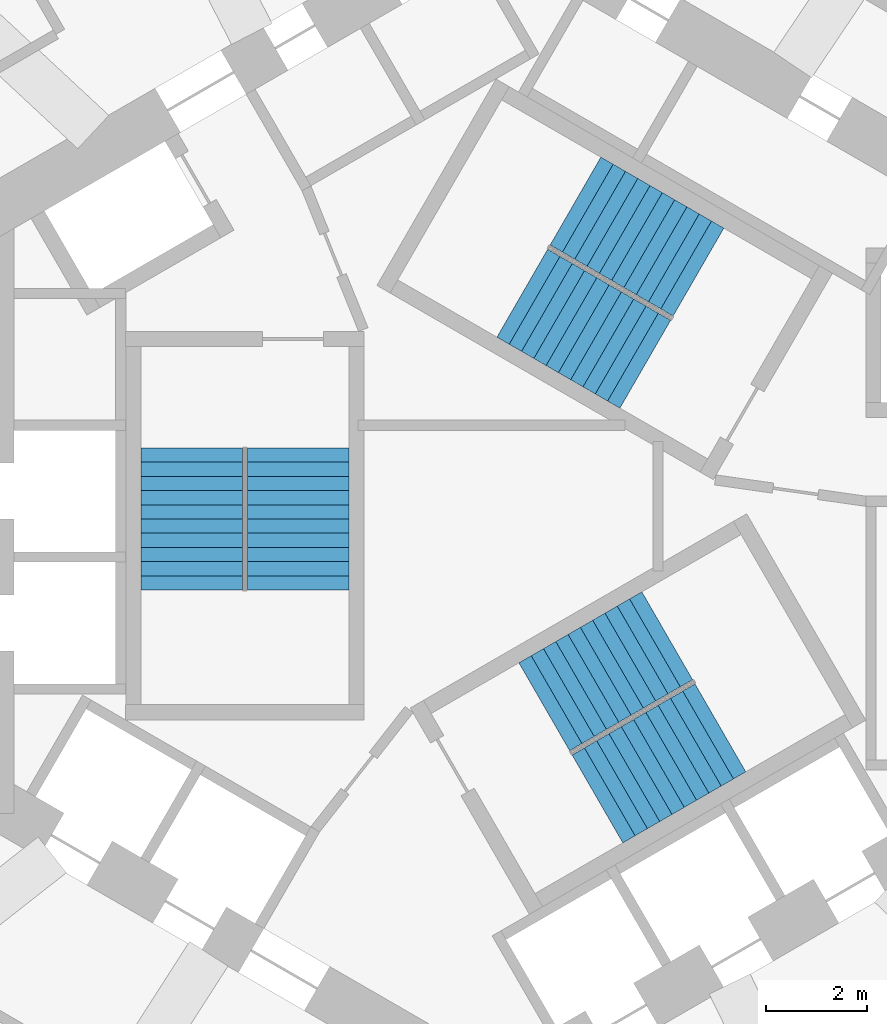
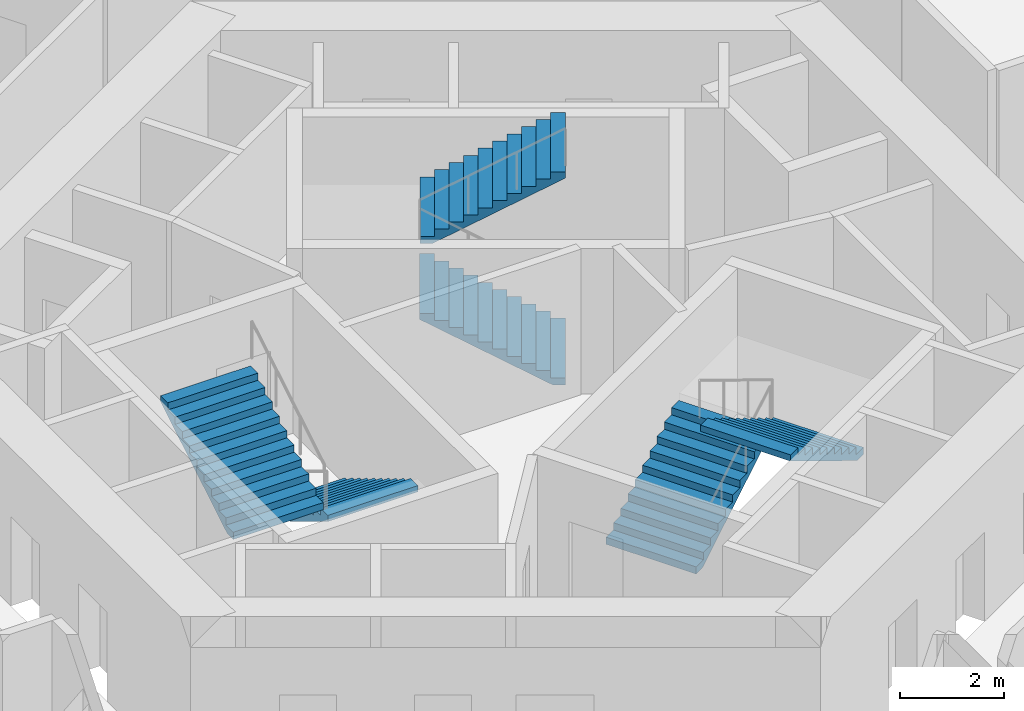
# One storey, part 9 of 11: 6 stair flights, 3 elements without a shape of their own.
"""IFC4 building model written with IfcOpenShell, lengths in metres."""

from ifc_helpers import new_model, si_unit, direction, frame, origin, place, context, subcontext, project, spatial, triangles, source, transform, mapped, material, type_object, element, aggregate, save


model = new_model("IFC4")

# Units and contexts
model_context = context("Model", 3, precision=1e-05, world=origin(), true_north=direction((0.0, 1.0)))
body_context = subcontext(model_context, "Body", "Model", "MODEL_VIEW")
ifc_project = project(units=[si_unit("LENGTHUNIT", "METRE"), si_unit("AREAUNIT", "SQUARE_METRE"), si_unit("VOLUMEUNIT", "CUBIC_METRE"), si_unit("PLANEANGLEUNIT", "RADIAN"), si_unit("MASSUNIT", "GRAM", prefix="KILO")], contexts=[model_context])

# Site, building, storey
site_placement = place(None, origin())
site = spatial("IfcSite", under=ifc_project, at=site_placement, CompositionType="ELEMENT")
building_placement = place(site_placement, origin())
building = spatial("IfcBuilding", under=site, at=building_placement, Name="Vanh Sen Convention Tower", CompositionType="ELEMENT")
storey_placement = place(building_placement, frame((0.0, 0.0, 154.0)))
storey = spatial("IfcBuildingStorey", under=building, at=storey_placement, Name="L37", CompositionType="ELEMENT", Elevation=154.0)

# Stair, stair flights
ifc_material_1 = material(Name="Concrete C50/60", Category="concrete")
stair_type_1 = type_object("IfcStairType", Name="Exit stair ST1 22 risers at 168.2", PredefinedType="HALF_TURN_STAIR", material=ifc_material_1)
stair_1_placement = place(storey_placement, origin())
stair_1 = element("IfcStair", 1, at=stair_1_placement, inside=storey, type_object=stair_type_1, Name="Exit stair ST1 L37", PredefinedType="HALF_TURN_STAIR")
ifc_material_2 = material(Name="Concrete C40/50", Category="concrete")
stair_flight_type = type_object("IfcStairFlightType", Name="Stair flight 2000", PredefinedType="STRAIGHT", material=ifc_material_2)
shared_shape = source(origin(), body_context, "Body", "Tessellation", [
    triangles([(0.24267578125, 1.0, 0.0), (0.0, 1.0, 0.0), (0.0, 1.0, 0.168212890625), (0.280029296875, 1.0, 0.168212890625), (0.280029296875, 1.0, 0.33642578125), (0.56005859375, 1.0, 0.33642578125), (0.56005859375, 1.0, 0.504638671875), (0.840087890625, 1.0, 0.504638671875), (0.840087890625, 1.0, 0.672607421875), (1.1201171875, 1.0, 0.672607421875), (1.1201171875, 1.0, 0.8408203125), (1.39990234375, 1.0, 0.8408203125), (1.39990234375, 1.0, 1.009033203125), (1.679931640625, 1.0, 1.009033203125), (1.679931640625, 1.0, 1.17724609375), (1.9599609375, 1.0, 1.17724609375), (1.9599609375, 1.0, 1.345458984375), (2.239990234375, 1.0, 1.345458984375), (2.239990234375, 1.0, 1.513671875), (2.52001953125, 1.0, 1.513671875), (2.52001953125, 1.0, 1.681884765625), (2.800048828125, 1.0, 1.681884765625), (2.800048828125, 1.0, 1.535888671875), (0.24267578125, -1.0, 0.0), (0.0, -1.0, 0.0), (0.0, -1.0, 0.168212890625), (0.280029296875, -1.0, 0.168212890625), (0.280029296875, -1.0, 0.33642578125), (0.56005859375, -1.0, 0.33642578125), (0.56005859375, -1.0, 0.504638671875), (0.840087890625, -1.0, 0.504638671875), (0.840087890625, -1.0, 0.672607421875), (1.1201171875, -1.0, 0.672607421875), (1.1201171875, -1.0, 0.8408203125), (1.39990234375, -1.0, 0.8408203125), (1.39990234375, -1.0, 1.009033203125), (1.679931640625, -1.0, 1.009033203125), (1.679931640625, -1.0, 1.17724609375), (1.9599609375, -1.0, 1.17724609375), (1.9599609375, -1.0, 1.345458984375), (2.239990234375, -1.0, 1.345458984375), (2.239990234375, -1.0, 1.513671875), (2.52001953125, -1.0, 1.513671875), (2.52001953125, -1.0, 1.681884765625), (2.800048828125, -1.0, 1.681884765625), (2.800048828125, -1.0, 1.535888671875), (0.0, 0.0400390625, 0.0), (0.0, 0.0390625, 0.0), (0.0, 0.0380859375, 0.0), (0.0, 0.037109375, 0.0), (0.0, 0.035888671875, 0.0), (0.0, 0.034912109375, 0.0), (0.0, 0.033935546875, 0.0), (0.0, 0.032958984375, 0.0), (0.0, 0.031982421875, 0.0), (0.0, 0.031005859375, 0.0), (0.0, 0.030029296875, 0.0), (0.0, 0.029052734375, 0.0), (0.0, 0.028076171875, 0.0), (0.0, 0.027099609375, 0.0), (0.0, 0.02587890625, 0.0), (0.0, 0.02490234375, 0.0), (0.0, 0.02392578125, 0.0), (0.0, 0.02294921875, 0.0), (0.0, 0.02197265625, 0.0), (0.0, 0.02099609375, 0.0), (0.0, 0.02001953125, 0.0), (0.0, 0.01904296875, 0.0), (0.0, 0.01806640625, 0.0), (0.0, 0.01708984375, 0.0), (0.0, 0.01611328125, 0.0), (0.0, 0.014892578125, 0.0), (0.0, 0.013916015625, 0.0), (0.0, 0.012939453125, 0.0), (0.0, 0.011962890625, 0.0), (0.0, 0.010986328125, 0.0), (0.0, 0.010009765625, 0.0), (0.0, 0.009033203125, 0.0), (0.0, 0.008056640625, 0.0), (0.0, 0.007080078125, 0.0), (0.0, 0.006103515625, 0.0), (0.0, 0.0048828125, 0.0), (0.0, 0.00390625, 0.0), (0.0, 0.0029296875, 0.0), (0.0, 0.001953125, 0.0), (0.0, 0.0009765625, 0.0), (0.0, 0.0, 0.0), (0.0, -0.0009765625, 0.0), (0.0, -0.001953125, 0.0), (0.0, -0.0029296875, 0.0), (0.0, -0.00390625, 0.0), (0.0, -0.0048828125, 0.0), (0.0, -0.006103515625, 0.0), (0.0, -0.007080078125, 0.0), (0.0, -0.008056640625, 0.0), (0.0, -0.009033203125, 0.0), (0.0, -0.010009765625, 0.0), (0.0, -0.010986328125, 0.0), (0.0, -0.011962890625, 0.0), (0.0, -0.012939453125, 0.0), (0.0, -0.013916015625, 0.0), (0.0, -0.014892578125, 0.0), (0.0, -0.01611328125, 0.0), (0.0, -0.01708984375, 0.0), (0.0, -0.01806640625, 0.0), (0.0, -0.01904296875, 0.0), (0.0, -0.02001953125, 0.0), (0.0, -0.02099609375, 0.0), (0.0, -0.02197265625, 0.0), (0.0, -0.02294921875, 0.0), (0.0, -0.02392578125, 0.0), (0.0, -0.02490234375, 0.0), (0.0, -0.02587890625, 0.0), (0.0, -0.027099609375, 0.0), (0.0, -0.028076171875, 0.0), (0.0, -0.029052734375, 0.0), (0.0, -0.030029296875, 0.0), (0.0, -0.031005859375, 0.0), (0.0, -0.031982421875, 0.0), (0.0, -0.032958984375, 0.0), (0.0, -0.033935546875, 0.0), (0.0, -0.034912109375, 0.0), (0.0, -0.035888671875, 0.0), (0.0, -0.037109375, 0.0), (0.0, -0.0380859375, 0.0), (0.0, -0.0390625, 0.0), (0.0, -0.0400390625, 0.0), (0.0, 0.0400390625, 0.168212890625), (0.0, 0.0390625, 0.168212890625), (0.0, 0.0380859375, 0.168212890625), (0.0, 0.037109375, 0.168212890625), (0.0, 0.035888671875, 0.168212890625), (0.0, 0.034912109375, 0.168212890625), (0.0, 0.033935546875, 0.168212890625), (0.0, 0.032958984375, 0.168212890625), (0.0, 0.031982421875, 0.168212890625), (0.0, 0.031005859375, 0.168212890625), (0.0, 0.030029296875, 0.168212890625), (0.0, 0.029052734375, 0.168212890625), (0.0, 0.028076171875, 0.168212890625), (0.0, 0.027099609375, 0.168212890625), (0.0, 0.02587890625, 0.168212890625), (0.0, 0.02490234375, 0.168212890625), (0.0, 0.02392578125, 0.168212890625), (0.0, 0.02294921875, 0.168212890625), (0.0, 0.02197265625, 0.168212890625), (0.0, 0.02099609375, 0.168212890625), (0.0, 0.02001953125, 0.168212890625), (0.0, 0.01904296875, 0.168212890625), (0.0, 0.01806640625, 0.168212890625), (0.0, 0.01708984375, 0.168212890625), (0.0, 0.01611328125, 0.168212890625), (0.0, 0.014892578125, 0.168212890625), (0.0, 0.013916015625, 0.168212890625), (0.0, 0.012939453125, 0.168212890625), (0.0, 0.011962890625, 0.168212890625), (0.0, 0.010986328125, 0.168212890625), (0.0, 0.010009765625, 0.168212890625), (0.0, 0.009033203125, 0.168212890625), (0.0, 0.008056640625, 0.168212890625), (0.0, 0.007080078125, 0.168212890625), (0.0, 0.006103515625, 0.168212890625), (0.0, 0.0048828125, 0.168212890625), (0.0, 0.00390625, 0.168212890625), (0.0, 0.0029296875, 0.168212890625), (0.0, 0.001953125, 0.168212890625), (0.0, 0.0009765625, 0.168212890625), (0.0, 0.0, 0.168212890625), (0.0, -0.0009765625, 0.168212890625), (0.0, -0.001953125, 0.168212890625), (0.0, -0.0029296875, 0.168212890625), (0.0, -0.00390625, 0.168212890625), (0.0, -0.0048828125, 0.168212890625), (0.0, -0.006103515625, 0.168212890625), (0.0, -0.007080078125, 0.168212890625), (0.0, -0.008056640625, 0.168212890625), (0.0, -0.009033203125, 0.168212890625), (0.0, -0.010009765625, 0.168212890625), (0.0, -0.010986328125, 0.168212890625), (0.0, -0.011962890625, 0.168212890625), (0.0, -0.012939453125, 0.168212890625), (0.0, -0.013916015625, 0.168212890625), (0.0, -0.014892578125, 0.168212890625), (0.0, -0.01611328125, 0.168212890625), (0.0, -0.01708984375, 0.168212890625), (0.0, -0.01806640625, 0.168212890625), (0.0, -0.01904296875, 0.168212890625), (0.0, -0.02001953125, 0.168212890625), (0.0, -0.02099609375, 0.168212890625), (0.0, -0.02197265625, 0.168212890625), (0.0, -0.02294921875, 0.168212890625), (0.0, -0.02392578125, 0.168212890625), (0.0, -0.02490234375, 0.168212890625), (0.0, -0.02587890625, 0.168212890625), (0.0, -0.027099609375, 0.168212890625), (0.0, -0.028076171875, 0.168212890625), (0.0, -0.029052734375, 0.168212890625), (0.0, -0.030029296875, 0.168212890625), (0.0, -0.031005859375, 0.168212890625), (0.0, -0.031982421875, 0.168212890625), (0.0, -0.032958984375, 0.168212890625), (0.0, -0.033935546875, 0.168212890625), (0.0, -0.034912109375, 0.168212890625), (0.0, -0.035888671875, 0.168212890625), (0.0, -0.037109375, 0.168212890625), (0.0, -0.0380859375, 0.168212890625), (0.0, -0.0390625, 0.168212890625), (0.0, -0.0400390625, 0.168212890625), (0.280029296875, 0.0, 0.168212890625), (0.280029296875, 0.0, 0.33642578125), (0.56005859375, 0.0, 0.33642578125), (0.56005859375, 0.0, 0.504638671875), (0.840087890625, 0.0, 0.504638671875), (0.840087890625, 0.0, 0.672607421875), (1.1201171875, 0.0, 0.672607421875), (1.1201171875, 0.0, 0.8408203125), (1.39990234375, 0.0, 0.8408203125), (1.39990234375, 0.0, 1.009033203125), (1.679931640625, 0.0, 1.009033203125), (1.679931640625, 0.0, 1.17724609375), (1.9599609375, 0.0, 1.17724609375), (1.9599609375, 0.0, 1.345458984375), (2.239990234375, 0.0, 1.345458984375), (2.239990234375, 0.0, 1.513671875), (2.52001953125, 0.0, 1.513671875), (2.52001953125, 0.0, 1.681884765625), (2.800048828125, 0.0400390625, 1.681884765625), (2.800048828125, 0.0390625, 1.681884765625), (2.800048828125, 0.0380859375, 1.681884765625), (2.800048828125, 0.037109375, 1.681884765625), (2.800048828125, 0.035888671875, 1.681884765625), (2.800048828125, 0.034912109375, 1.681884765625), (2.800048828125, 0.033935546875, 1.681884765625), (2.800048828125, 0.032958984375, 1.681884765625), (2.800048828125, 0.031982421875, 1.681884765625), (2.800048828125, 0.031005859375, 1.681884765625), (2.800048828125, 0.030029296875, 1.681884765625), (2.800048828125, 0.029052734375, 1.681884765625), (2.800048828125, 0.028076171875, 1.681884765625), (2.800048828125, 0.027099609375, 1.681884765625), (2.800048828125, 0.02587890625, 1.681884765625), (2.800048828125, 0.02490234375, 1.681884765625), (2.800048828125, 0.02392578125, 1.681884765625), (2.800048828125, 0.02294921875, 1.681884765625), (2.800048828125, 0.02197265625, 1.681884765625), (2.800048828125, 0.02099609375, 1.681884765625), (2.800048828125, 0.02001953125, 1.681884765625), (2.800048828125, 0.01904296875, 1.681884765625), (2.800048828125, 0.01806640625, 1.681884765625), (2.800048828125, 0.01708984375, 1.681884765625), (2.800048828125, 0.01611328125, 1.681884765625), (2.800048828125, 0.014892578125, 1.681884765625), (2.800048828125, 0.013916015625, 1.681884765625), (2.800048828125, 0.012939453125, 1.681884765625), (2.800048828125, 0.011962890625, 1.681884765625), (2.800048828125, 0.010986328125, 1.681884765625), (2.800048828125, 0.010009765625, 1.681884765625), (2.800048828125, 0.009033203125, 1.681884765625), (2.800048828125, 0.008056640625, 1.681884765625), (2.800048828125, 0.007080078125, 1.681884765625), (2.800048828125, 0.006103515625, 1.681884765625), (2.800048828125, 0.0048828125, 1.681884765625), (2.800048828125, 0.00390625, 1.681884765625), (2.800048828125, 0.0029296875, 1.681884765625), (2.800048828125, 0.001953125, 1.681884765625), (2.800048828125, 0.0009765625, 1.681884765625), (2.800048828125, 0.0, 1.681884765625), (2.800048828125, -0.0009765625, 1.681884765625), (2.800048828125, -0.001953125, 1.681884765625), (2.800048828125, -0.0029296875, 1.681884765625), (2.800048828125, -0.00390625, 1.681884765625), (2.800048828125, -0.0048828125, 1.681884765625), (2.800048828125, -0.006103515625, 1.681884765625), (2.800048828125, -0.007080078125, 1.681884765625), (2.800048828125, -0.008056640625, 1.681884765625), (2.800048828125, -0.009033203125, 1.681884765625), (2.800048828125, -0.010009765625, 1.681884765625), (2.800048828125, -0.010986328125, 1.681884765625), (2.800048828125, -0.011962890625, 1.681884765625), (2.800048828125, -0.012939453125, 1.681884765625), (2.800048828125, -0.013916015625, 1.681884765625), (2.800048828125, -0.014892578125, 1.681884765625), (2.800048828125, -0.01611328125, 1.681884765625), (2.800048828125, -0.01708984375, 1.681884765625), (2.800048828125, -0.01806640625, 1.681884765625), (2.800048828125, -0.01904296875, 1.681884765625), (2.800048828125, -0.02001953125, 1.681884765625), (2.800048828125, -0.02099609375, 1.681884765625), (2.800048828125, -0.02197265625, 1.681884765625), (2.800048828125, -0.02294921875, 1.681884765625), (2.800048828125, -0.02392578125, 1.681884765625), (2.800048828125, -0.02490234375, 1.681884765625), (2.800048828125, -0.02587890625, 1.681884765625), (2.800048828125, -0.027099609375, 1.681884765625), (2.800048828125, -0.028076171875, 1.681884765625), (2.800048828125, -0.029052734375, 1.681884765625), (2.800048828125, -0.030029296875, 1.681884765625), (2.800048828125, -0.031005859375, 1.681884765625), (2.800048828125, -0.031982421875, 1.681884765625), (2.800048828125, -0.032958984375, 1.681884765625), (2.800048828125, -0.033935546875, 1.681884765625), (2.800048828125, -0.034912109375, 1.681884765625), (2.800048828125, -0.035888671875, 1.681884765625), (2.800048828125, -0.037109375, 1.681884765625), (2.800048828125, -0.0380859375, 1.681884765625), (2.800048828125, -0.0390625, 1.681884765625), (2.800048828125, -0.0400390625, 1.681884765625), (2.800048828125, 0.0400390625, 1.535888671875), (2.800048828125, 0.0390625, 1.535888671875), (2.800048828125, 0.0380859375, 1.535888671875), (2.800048828125, 0.037109375, 1.535888671875), (2.800048828125, 0.035888671875, 1.535888671875), (2.800048828125, 0.034912109375, 1.535888671875), (2.800048828125, 0.033935546875, 1.535888671875), (2.800048828125, 0.032958984375, 1.535888671875), (2.800048828125, 0.031982421875, 1.535888671875), (2.800048828125, 0.031005859375, 1.535888671875), (2.800048828125, 0.030029296875, 1.535888671875), (2.800048828125, 0.029052734375, 1.535888671875), (2.800048828125, 0.028076171875, 1.535888671875), (2.800048828125, 0.027099609375, 1.535888671875), (2.800048828125, 0.02587890625, 1.535888671875), (2.800048828125, 0.02490234375, 1.535888671875), (2.800048828125, 0.02392578125, 1.535888671875), (2.800048828125, 0.02294921875, 1.535888671875), (2.800048828125, 0.02197265625, 1.535888671875), (2.800048828125, 0.02099609375, 1.535888671875), (2.800048828125, 0.02001953125, 1.535888671875), (2.800048828125, 0.01904296875, 1.535888671875), (2.800048828125, 0.01806640625, 1.535888671875), (2.800048828125, 0.01708984375, 1.535888671875), (2.800048828125, 0.01611328125, 1.535888671875), (2.800048828125, 0.014892578125, 1.535888671875), (2.800048828125, 0.013916015625, 1.535888671875), (2.800048828125, 0.012939453125, 1.535888671875), (2.800048828125, 0.011962890625, 1.535888671875), (2.800048828125, 0.010986328125, 1.535888671875), (2.800048828125, 0.010009765625, 1.535888671875), (2.800048828125, 0.009033203125, 1.535888671875), (2.800048828125, 0.008056640625, 1.535888671875), (2.800048828125, 0.007080078125, 1.535888671875), (2.800048828125, 0.006103515625, 1.535888671875), (2.800048828125, 0.0048828125, 1.535888671875), (2.800048828125, 0.00390625, 1.535888671875), (2.800048828125, 0.0029296875, 1.535888671875), (2.800048828125, 0.001953125, 1.535888671875), (2.800048828125, 0.0009765625, 1.535888671875), (2.800048828125, 0.0, 1.535888671875), (2.800048828125, -0.0009765625, 1.535888671875), (2.800048828125, -0.001953125, 1.535888671875), (2.800048828125, -0.0029296875, 1.535888671875), (2.800048828125, -0.00390625, 1.535888671875), (2.800048828125, -0.0048828125, 1.535888671875), (2.800048828125, -0.006103515625, 1.535888671875), (2.800048828125, -0.007080078125, 1.535888671875), (2.800048828125, -0.008056640625, 1.535888671875), (2.800048828125, -0.009033203125, 1.535888671875), (2.800048828125, -0.010009765625, 1.535888671875), (2.800048828125, -0.010986328125, 1.535888671875), (2.800048828125, -0.011962890625, 1.535888671875), (2.800048828125, -0.012939453125, 1.535888671875), (2.800048828125, -0.013916015625, 1.535888671875), (2.800048828125, -0.014892578125, 1.535888671875), (2.800048828125, -0.01611328125, 1.535888671875), (2.800048828125, -0.01708984375, 1.535888671875), (2.800048828125, -0.01806640625, 1.535888671875), (2.800048828125, -0.01904296875, 1.535888671875), (2.800048828125, -0.02001953125, 1.535888671875), (2.800048828125, -0.02099609375, 1.535888671875), (2.800048828125, -0.02197265625, 1.535888671875), (2.800048828125, -0.02294921875, 1.535888671875), (2.800048828125, -0.02392578125, 1.535888671875), (2.800048828125, -0.02490234375, 1.535888671875), (2.800048828125, -0.02587890625, 1.535888671875), (2.800048828125, -0.027099609375, 1.535888671875), (2.800048828125, -0.028076171875, 1.535888671875), (2.800048828125, -0.029052734375, 1.535888671875), (2.800048828125, -0.030029296875, 1.535888671875), (2.800048828125, -0.031005859375, 1.535888671875), (2.800048828125, -0.031982421875, 1.535888671875), (2.800048828125, -0.032958984375, 1.535888671875), (2.800048828125, -0.033935546875, 1.535888671875), (2.800048828125, -0.034912109375, 1.535888671875), (2.800048828125, -0.035888671875, 1.535888671875), (2.800048828125, -0.037109375, 1.535888671875), (2.800048828125, -0.0380859375, 1.535888671875), (2.800048828125, -0.0390625, 1.535888671875), (2.800048828125, -0.0400390625, 1.535888671875), (0.24267578125, 0.0, 0.0)], [[1, 2, 3], [1, 3, 4], [4, 5, 6], [1, 4, 6], [6, 7, 8], [1, 6, 8], [8, 9, 10], [1, 8, 10], [10, 11, 12], [1, 10, 12], [12, 13, 14], [1, 12, 14], [14, 15, 16], [1, 14, 16], [16, 17, 18], [1, 16, 18], [18, 19, 20], [1, 18, 20], [20, 21, 22], [1, 20, 22], [22, 23, 1], [24, 26, 25], [24, 27, 26], [27, 29, 28], [24, 29, 27], [29, 31, 30], [24, 31, 29], [31, 33, 32], [24, 33, 31], [33, 35, 34], [24, 35, 33], [35, 37, 36], [24, 37, 35], [37, 39, 38], [24, 39, 37], [39, 41, 40], [24, 41, 39], [41, 43, 42], [24, 43, 41], [43, 45, 44], [24, 45, 43], [45, 24, 46], [2, 128, 3], [2, 47, 128], [47, 129, 128], [47, 48, 129], [48, 130, 129], [48, 49, 130], [49, 131, 130], [49, 50, 131], [50, 132, 131], [50, 51, 132], [51, 133, 132], [51, 52, 133], [52, 134, 133], [52, 53, 134], [53, 135, 134], [53, 54, 135], [54, 136, 135], [54, 55, 136], [55, 137, 136], [55, 56, 137], [56, 138, 137], [56, 57, 138], [57, 139, 138], [57, 58, 139], [58, 140, 139], [58, 59, 140], [59, 141, 140], [59, 60, 141], [60, 142, 141], [60, 61, 142], [61, 143, 142], [61, 62, 143], [62, 144, 143], [62, 63, 144], [63, 145, 144], [63, 64, 145], [64, 146, 145], [64, 65, 146], [65, 147, 146], [65, 66, 147], [66, 148, 147], [66, 67, 148], [67, 149, 148], [67, 68, 149], [68, 150, 149], [68, 69, 150], [69, 151, 150], [69, 70, 151], [70, 152, 151], [70, 71, 152], [71, 153, 152], [71, 72, 153], [72, 154, 153], [72, 73, 154], [73, 155, 154], [73, 74, 155], [74, 156, 155], [74, 75, 156], [75, 157, 156], [75, 76, 157], [76, 158, 157], [76, 77, 158], [77, 159, 158], [77, 78, 159], [78, 160, 159], [78, 79, 160], [79, 161, 160], [79, 80, 161], [80, 162, 161], [80, 81, 162], [81, 163, 162], [81, 82, 163], [82, 164, 163], [82, 83, 164], [83, 165, 164], [83, 84, 165], [84, 166, 165], [84, 85, 166], [85, 167, 166], [85, 86, 167], [86, 168, 167], [86, 87, 168], [87, 88, 168], [168, 88, 169], [88, 89, 169], [169, 89, 170], [89, 90, 170], [170, 90, 171], [90, 91, 171], [171, 91, 172], [91, 92, 172], [172, 92, 173], [92, 93, 173], [173, 93, 174], [93, 94, 174], [174, 94, 175], [94, 95, 175], [175, 95, 176], [95, 96, 176], [176, 96, 177], [96, 97, 177], [177, 97, 178], [97, 98, 178], [178, 98, 179], [98, 99, 179], [179, 99, 180], [99, 100, 180], [180, 100, 181], [100, 101, 181], [181, 101, 182], [101, 102, 182], [182, 102, 183], [102, 103, 183], [183, 103, 184], [103, 104, 184], [184, 104, 185], [104, 105, 185], [185, 105, 186], [105, 106, 186], [186, 106, 187], [106, 107, 187], [187, 107, 188], [107, 108, 188], [188, 108, 189], [108, 109, 189], [189, 109, 190], [109, 110, 190], [190, 110, 191], [110, 111, 191], [191, 111, 192], [111, 112, 192], [192, 112, 193], [112, 113, 193], [193, 113, 194], [113, 114, 194], [194, 114, 195], [114, 115, 195], [195, 115, 196], [115, 116, 196], [196, 116, 197], [116, 117, 197], [197, 117, 198], [117, 118, 198], [198, 118, 199], [118, 119, 199], [199, 119, 200], [119, 120, 200], [200, 120, 201], [120, 121, 201], [201, 121, 202], [121, 122, 202], [202, 122, 203], [122, 123, 203], [203, 123, 204], [123, 124, 204], [204, 124, 205], [124, 125, 205], [205, 125, 206], [125, 126, 206], [206, 126, 207], [126, 127, 207], [207, 127, 208], [127, 25, 208], [208, 25, 26], [4, 3, 128], [4, 128, 129], [4, 129, 130], [4, 130, 131], [4, 131, 132], [4, 132, 133], [4, 133, 134], [4, 134, 135], [4, 135, 136], [4, 136, 137], [4, 137, 138], [4, 138, 139], [4, 139, 140], [4, 140, 141], [4, 141, 142], [4, 142, 143], [4, 143, 144], [4, 144, 145], [4, 145, 146], [4, 146, 147], [4, 147, 148], [4, 148, 149], [4, 149, 150], [4, 150, 151], [4, 151, 152], [4, 152, 153], [4, 153, 154], [4, 154, 155], [4, 155, 156], [4, 156, 157], [4, 157, 158], [4, 158, 159], [4, 159, 160], [4, 160, 161], [4, 161, 162], [4, 162, 163], [4, 163, 164], [4, 164, 165], [4, 165, 166], [4, 166, 167], [4, 167, 168], [27, 168, 169], [27, 169, 170], [27, 170, 171], [27, 171, 172], [27, 172, 173], [27, 173, 174], [27, 174, 175], [27, 175, 176], [27, 176, 177], [27, 177, 178], [27, 178, 179], [27, 179, 180], [27, 180, 181], [27, 181, 182], [27, 182, 183], [27, 183, 184], [27, 184, 185], [27, 185, 186], [27, 186, 187], [27, 187, 188], [27, 188, 189], [27, 189, 190], [27, 190, 191], [27, 191, 192], [27, 192, 193], [27, 193, 194], [27, 194, 195], [27, 195, 196], [27, 196, 197], [27, 197, 198], [27, 198, 199], [27, 199, 200], [27, 200, 201], [27, 201, 202], [27, 202, 203], [27, 203, 204], [27, 204, 205], [27, 205, 206], [27, 206, 207], [27, 207, 208], [27, 208, 26], [4, 168, 209], [27, 209, 168], [4, 210, 5], [4, 209, 210], [209, 27, 210], [210, 27, 28], [5, 211, 6], [5, 210, 211], [210, 28, 211], [211, 28, 29], [6, 212, 7], [6, 211, 212], [211, 29, 212], [212, 29, 30], [7, 213, 8], [7, 212, 213], [212, 30, 213], [213, 30, 31], [8, 214, 9], [8, 213, 214], [213, 31, 214], [214, 31, 32], [9, 215, 10], [9, 214, 215], [214, 32, 215], [215, 32, 33], [10, 216, 11], [10, 215, 216], [215, 33, 216], [216, 33, 34], [11, 217, 12], [11, 216, 217], [216, 34, 217], [217, 34, 35], [12, 218, 13], [12, 217, 218], [217, 35, 218], [218, 35, 36], [13, 219, 14], [13, 218, 219], [218, 36, 219], [219, 36, 37], [14, 220, 15], [14, 219, 220], [219, 37, 220], [220, 37, 38], [15, 221, 16], [15, 220, 221], [220, 38, 221], [221, 38, 39], [16, 222, 17], [16, 221, 222], [221, 39, 222], [222, 39, 40], [17, 223, 18], [17, 222, 223], [222, 40, 223], [223, 40, 41], [18, 224, 19], [18, 223, 224], [223, 41, 224], [224, 41, 42], [19, 225, 20], [19, 224, 225], [224, 42, 225], [225, 42, 43], [20, 226, 21], [20, 225, 226], [225, 43, 226], [226, 43, 44], [21, 227, 22], [21, 228, 227], [21, 229, 228], [21, 230, 229], [21, 231, 230], [21, 232, 231], [21, 233, 232], [21, 234, 233], [21, 235, 234], [21, 236, 235], [21, 237, 236], [21, 238, 237], [21, 239, 238], [21, 240, 239], [21, 241, 240], [21, 242, 241], [21, 243, 242], [21, 244, 243], [21, 245, 244], [21, 246, 245], [21, 247, 246], [21, 248, 247], [21, 249, 248], [21, 250, 249], [21, 251, 250], [21, 252, 251], [21, 253, 252], [21, 254, 253], [21, 255, 254], [21, 256, 255], [21, 257, 256], [21, 258, 257], [21, 259, 258], [21, 260, 259], [21, 261, 260], [21, 262, 261], [21, 263, 262], [21, 264, 263], [21, 265, 264], [21, 266, 265], [21, 267, 266], [44, 268, 267], [44, 269, 268], [44, 270, 269], [44, 271, 270], [44, 272, 271], [44, 273, 272], [44, 274, 273], [44, 275, 274], [44, 276, 275], [44, 277, 276], [44, 278, 277], [44, 279, 278], [44, 280, 279], [44, 281, 280], [44, 282, 281], [44, 283, 282], [44, 284, 283], [44, 285, 284], [44, 286, 285], [44, 287, 286], [44, 288, 287], [44, 289, 288], [44, 290, 289], [44, 291, 290], [44, 292, 291], [44, 293, 292], [44, 294, 293], [44, 295, 294], [44, 296, 295], [44, 297, 296], [44, 298, 297], [44, 299, 298], [44, 300, 299], [44, 301, 300], [44, 302, 301], [44, 303, 302], [44, 304, 303], [44, 305, 304], [44, 306, 305], [44, 307, 306], [44, 45, 307], [21, 226, 267], [44, 267, 226], [22, 308, 23], [22, 227, 308], [227, 309, 308], [227, 228, 309], [228, 310, 309], [228, 229, 310], [229, 311, 310], [229, 230, 311], [230, 312, 311], [230, 231, 312], [231, 313, 312], [231, 232, 313], [232, 314, 313], [232, 233, 314], [233, 315, 314], [233, 234, 315], [234, 316, 315], [234, 235, 316], [235, 317, 316], [235, 236, 317], [236, 318, 317], [236, 237, 318], [237, 319, 318], [237, 238, 319], [238, 320, 319], [238, 239, 320], [239, 321, 320], [239, 240, 321], [240, 322, 321], [240, 241, 322], [241, 323, 322], [241, 242, 323], [242, 324, 323], [242, 243, 324], [243, 325, 324], [243, 244, 325], [244, 326, 325], [244, 245, 326], [245, 327, 326], [245, 246, 327], [246, 328, 327], [246, 247, 328], [247, 329, 328], [247, 248, 329], [248, 330, 329], [248, 249, 330], [249, 331, 330], [249, 250, 331], [250, 332, 331], [250, 251, 332], [251, 333, 332], [251, 252, 333], [252, 334, 333], [252, 253, 334], [253, 335, 334], [253, 254, 335], [254, 336, 335], [254, 255, 336], [255, 337, 336], [255, 256, 337], [256, 338, 337], [256, 257, 338], [257, 339, 338], [257, 258, 339], [258, 340, 339], [258, 259, 340], [259, 341, 340], [259, 260, 341], [260, 342, 341], [260, 261, 342], [261, 343, 342], [261, 262, 343], [262, 344, 343], [262, 263, 344], [263, 345, 344], [263, 264, 345], [264, 346, 345], [264, 265, 346], [265, 347, 346], [265, 266, 347], [266, 348, 347], [266, 267, 348], [267, 268, 348], [348, 268, 349], [268, 269, 349], [349, 269, 350], [269, 270, 350], [350, 270, 351], [270, 271, 351], [351, 271, 352], [271, 272, 352], [352, 272, 353], [272, 273, 353], [353, 273, 354], [273, 274, 354], [354, 274, 355], [274, 275, 355], [355, 275, 356], [275, 276, 356], [356, 276, 357], [276, 277, 357], [357, 277, 358], [277, 278, 358], [358, 278, 359], [278, 279, 359], [359, 279, 360], [279, 280, 360], [360, 280, 361], [280, 281, 361], [361, 281, 362], [281, 282, 362], [362, 282, 363], [282, 283, 363], [363, 283, 364], [283, 284, 364], [364, 284, 365], [284, 285, 365], [365, 285, 366], [285, 286, 366], [366, 286, 367], [286, 287, 367], [367, 287, 368], [287, 288, 368], [368, 288, 369], [288, 289, 369], [369, 289, 370], [289, 290, 370], [370, 290, 371], [290, 291, 371], [371, 291, 372], [291, 292, 372], [372, 292, 373], [292, 293, 373], [373, 293, 374], [293, 294, 374], [374, 294, 375], [294, 295, 375], [375, 295, 376], [295, 296, 376], [376, 296, 377], [296, 297, 377], [377, 297, 378], [297, 298, 378], [378, 298, 379], [298, 299, 379], [379, 299, 380], [299, 300, 380], [380, 300, 381], [300, 301, 381], [381, 301, 382], [301, 302, 382], [382, 302, 383], [302, 303, 383], [383, 303, 384], [303, 304, 384], [384, 304, 385], [304, 305, 385], [385, 305, 386], [305, 306, 386], [386, 306, 387], [306, 307, 387], [387, 307, 388], [307, 45, 388], [388, 45, 46], [1, 23, 308], [1, 308, 309], [1, 309, 310], [1, 310, 311], [1, 311, 312], [1, 312, 313], [1, 313, 314], [1, 314, 315], [1, 315, 316], [1, 316, 317], [1, 317, 318], [1, 318, 319], [1, 319, 320], [1, 320, 321], [1, 321, 322], [1, 322, 323], [1, 323, 324], [1, 324, 325], [1, 325, 326], [1, 326, 327], [1, 327, 328], [1, 328, 329], [1, 329, 330], [1, 330, 331], [1, 331, 332], [1, 332, 333], [1, 333, 334], [1, 334, 335], [1, 335, 336], [1, 336, 337], [1, 337, 338], [1, 338, 339], [1, 339, 340], [1, 340, 341], [1, 341, 342], [1, 342, 343], [1, 343, 344], [1, 344, 345], [1, 345, 346], [1, 346, 347], [1, 347, 348], [24, 348, 349], [24, 349, 350], [24, 350, 351], [24, 351, 352], [24, 352, 353], [24, 353, 354], [24, 354, 355], [24, 355, 356], [24, 356, 357], [24, 357, 358], [24, 358, 359], [24, 359, 360], [24, 360, 361], [24, 361, 362], [24, 362, 363], [24, 363, 364], [24, 364, 365], [24, 365, 366], [24, 366, 367], [24, 367, 368], [24, 368, 369], [24, 369, 370], [24, 370, 371], [24, 371, 372], [24, 372, 373], [24, 373, 374], [24, 374, 375], [24, 375, 376], [24, 376, 377], [24, 377, 378], [24, 378, 379], [24, 379, 380], [24, 380, 381], [24, 381, 382], [24, 382, 383], [24, 383, 384], [24, 384, 385], [24, 385, 386], [24, 386, 387], [24, 387, 388], [24, 388, 46], [1, 348, 389], [24, 389, 348], [1, 47, 2], [1, 48, 47], [1, 49, 48], [1, 50, 49], [1, 51, 50], [1, 52, 51], [1, 53, 52], [1, 54, 53], [1, 55, 54], [1, 56, 55], [1, 57, 56], [1, 58, 57], [1, 59, 58], [1, 60, 59], [1, 61, 60], [1, 62, 61], [1, 63, 62], [1, 64, 63], [1, 65, 64], [1, 66, 65], [1, 67, 66], [1, 68, 67], [1, 69, 68], [1, 70, 69], [1, 71, 70], [1, 72, 71], [1, 73, 72], [1, 74, 73], [1, 75, 74], [1, 76, 75], [1, 77, 76], [1, 78, 77], [1, 79, 78], [1, 80, 79], [1, 81, 80], [1, 82, 81], [1, 83, 82], [1, 84, 83], [1, 85, 84], [1, 86, 85], [1, 87, 86], [24, 88, 87], [24, 89, 88], [24, 90, 89], [24, 91, 90], [24, 92, 91], [24, 93, 92], [24, 94, 93], [24, 95, 94], [24, 96, 95], [24, 97, 96], [24, 98, 97], [24, 99, 98], [24, 100, 99], [24, 101, 100], [24, 102, 101], [24, 103, 102], [24, 104, 103], [24, 105, 104], [24, 106, 105], [24, 107, 106], [24, 108, 107], [24, 109, 108], [24, 110, 109], [24, 111, 110], [24, 112, 111], [24, 113, 112], [24, 114, 113], [24, 115, 114], [24, 116, 115], [24, 117, 116], [24, 118, 117], [24, 119, 118], [24, 120, 119], [24, 121, 120], [24, 122, 121], [24, 123, 122], [24, 124, 123], [24, 125, 124], [24, 126, 125], [24, 127, 126], [24, 25, 127], [1, 389, 87], [24, 87, 389]], closed=True),
])
stair_flight_1_placement = place(storey_placement, frame((2.94580078125, 2.802490234375, 0.0), z_axis=(0.0, 0.0, 1.0), x_axis=(-0.866025403784, 0.5, 0.0)))
stair_flight_1 = element("IfcStairFlight", 2, at=stair_flight_1_placement, type_object=stair_flight_type, Name="ST1 flight 1", NumberOfRisers=11, NumberOfTreads=10, PredefinedType="STRAIGHT", RiserHeight=0.168181818, TreadLength=0.28, context=body_context, shape_type="MappedRepresentation", body=[
    mapped(shared_shape, transform((0.0, 0.0, 0.0))),
])
stair_flight_2_placement = place(storey_placement, frame((1.571044921875, 6.021240234375, 1.85009765625), z_axis=(0.0, 0.0, 1.0), x_axis=(0.866025403784, -0.5, 0.0)))
stair_flight_2 = element("IfcStairFlight", 3, at=stair_flight_2_placement, type_object=stair_flight_type, Name="ST1 flight 2", NumberOfRisers=11, NumberOfTreads=10, PredefinedType="STRAIGHT", RiserHeight=0.168181818, TreadLength=0.28, context=body_context, shape_type="MappedRepresentation", body=[
    mapped(shared_shape, transform((0.0, 0.0, 0.0))),
])
aggregate(stair_1, [stair_flight_1, stair_flight_2])

stair_type_2 = type_object("IfcStairType", Name="Exit stair ST2 22 risers at 168.2", PredefinedType="HALF_TURN_STAIR", material=ifc_material_1)
stair_2_placement = place(storey_placement, origin())
stair_2 = element("IfcStair", 4, at=stair_2_placement, inside=storey, type_object=stair_type_2, Name="Exit stair ST2 L37", PredefinedType="HALF_TURN_STAIR")
stair_flight_3_placement = place(storey_placement, frame((-3.89990234375, 1.14990234375, 0.0), z_axis=(0.0, 0.0, 1.0), x_axis=(0.0, -1.0, 0.0)))
stair_flight_3 = element("IfcStairFlight", 5, at=stair_flight_3_placement, type_object=stair_flight_type, Name="ST2 flight 1", NumberOfRisers=11, NumberOfTreads=10, PredefinedType="STRAIGHT", RiserHeight=0.168181818, TreadLength=0.28, context=body_context, shape_type="MappedRepresentation", body=[
    mapped(shared_shape, transform((0.0, 0.0, 0.0))),
])
stair_flight_4_placement = place(storey_placement, frame((-6.0, -1.64990234375, 1.85009765625), z_axis=(0.0, 0.0, 1.0), x_axis=(0.0, 1.0, 0.0)))
stair_flight_4 = element("IfcStairFlight", 6, at=stair_flight_4_placement, type_object=stair_flight_type, Name="ST2 flight 2", NumberOfRisers=11, NumberOfTreads=10, PredefinedType="STRAIGHT", RiserHeight=0.168181818, TreadLength=0.28, context=body_context, shape_type="MappedRepresentation", body=[
    mapped(shared_shape, transform((0.0, 0.0, 0.0))),
])
aggregate(stair_2, [stair_flight_3, stair_flight_4])

stair_type_3 = type_object("IfcStairType", Name="Exit stair ST3 22 risers at 168.2", PredefinedType="HALF_TURN_STAIR", material=ifc_material_1)
stair_3_placement = place(storey_placement, origin())
stair_3 = element("IfcStair", 7, at=stair_3_placement, inside=storey, type_object=stair_type_3, Name="Exit stair ST3 L37", PredefinedType="HALF_TURN_STAIR")
stair_flight_5_placement = place(storey_placement, frame((0.9541015625, -3.952392578125, 0.0), z_axis=(0.0, 0.0, 1.0), x_axis=(0.866025403784, 0.5, 0.0)))
stair_flight_5 = element("IfcStairFlight", 8, at=stair_flight_5_placement, type_object=stair_flight_type, Name="ST3 flight 1", NumberOfRisers=11, NumberOfTreads=10, PredefinedType="STRAIGHT", RiserHeight=0.168181818, TreadLength=0.28, context=body_context, shape_type="MappedRepresentation", body=[
    mapped(shared_shape, transform((0.0, 0.0, 0.0))),
])
stair_flight_6_placement = place(storey_placement, frame((4.428955078125, -4.37109375, 1.85009765625), z_axis=(0.0, 0.0, 1.0), x_axis=(-0.866025403784, -0.5, 0.0)))
stair_flight_6 = element("IfcStairFlight", 9, at=stair_flight_6_placement, type_object=stair_flight_type, Name="ST3 flight 2", NumberOfRisers=11, NumberOfTreads=10, PredefinedType="STRAIGHT", RiserHeight=0.168181818, TreadLength=0.28, context=body_context, shape_type="MappedRepresentation", body=[
    mapped(shared_shape, transform((0.0, 0.0, 0.0))),
])
aggregate(stair_3, [stair_flight_5, stair_flight_6])

save(model, "model.ifc")
